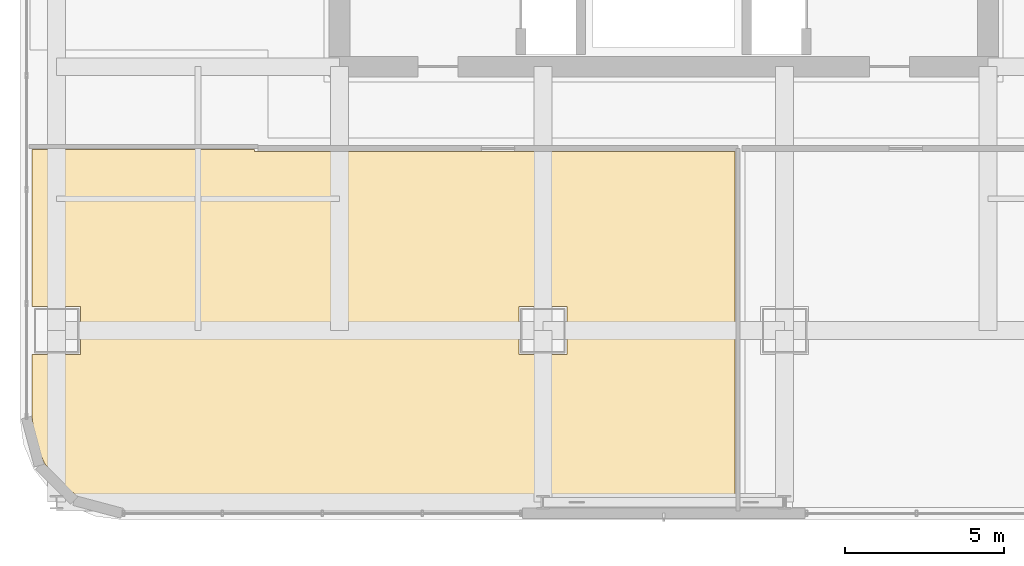
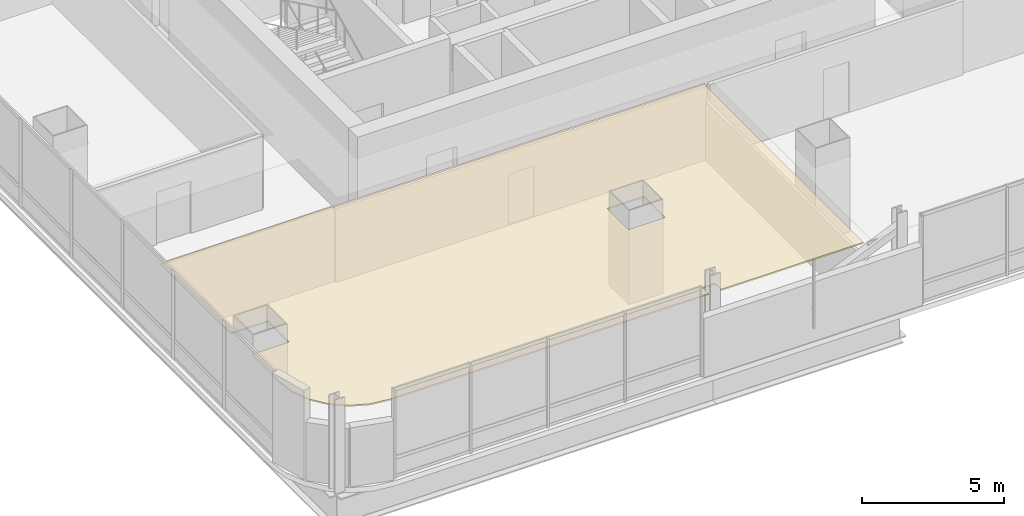
# One storey, part 34 of 41: 1 covering.
"""IFC4 building model written with IfcOpenShell, lengths in metres."""

import ifcopenshell
import ifcopenshell.guid

model = None  # the IFC model being written
_history = None  # IfcOwnerHistory: only IFC2X3 demands one
_inside = {}  # id of a spatial element -> (the spatial element, [elements in it])
_under = {}  # id of a project, library or spatial element -> (it, [spatial elements below it])
_declared = {}  # id of a project -> (the project, [libraries it declares])
_typed = {}  # id of a type object -> (the type object, [elements of that type])
_made_of = {}  # id of a material, layer set ... -> (it, [elements and type objects made of it])


def new_model(schema):
    """Start an empty IFC model of exactly this schema.

    Asked for "IFC4X3", IfcOpenShell would pick the latest addendum, in which some entities
    have other attributes; the version numbers below select the first issue.
    IFC2X3 requires an IfcOwnerHistory on every rooted entity: one is made here for all.
    """
    global model, _history
    if schema == "IFC4X3":
        model = ifcopenshell.file(schema_version=(4, 3, 0, 0))
    else:
        model = ifcopenshell.file(schema=schema)
    _inside.clear()
    _under.clear()
    _declared.clear()
    _typed.clear()
    _made_of.clear()
    _history = None
    if model.schema == "IFC2X3":
        org = make("IfcOrganization", Name="unknown")
        user = make(
            "IfcPersonAndOrganization",
            ThePerson=make("IfcPerson", FamilyName="unknown"),
            TheOrganization=org,
        )
        app = make(
            "IfcApplication",
            ApplicationDeveloper=org,
            Version="unknown",
            ApplicationFullName="unknown",
            ApplicationIdentifier="unknown",
        )
        _history = make(
            "IfcOwnerHistory",
            OwningUser=user,
            OwningApplication=app,
            ChangeAction="ADDED",
            CreationDate=0,
        )
    return model


def make(cls, **values):
    """One entity of the class cls with the attributes given. An attribute that is None is left unset."""
    return model.create_entity(
        cls, **{name: value for name, value in values.items() if value is not None}
    )


def rooted(cls, **values):
    """An entity with a GlobalId (a new one), such as an element, a storey or a relation."""
    return make(cls, GlobalId=ifcopenshell.guid.new(), OwnerHistory=_history, **values)


def si_unit(unit_type, name, prefix=None):
    """IfcSIUnit, for example si_unit("LENGTHUNIT", "METRE", prefix="MILLI")."""
    return make("IfcSIUnit", UnitType=unit_type, Prefix=prefix, Name=name)


def assignment(units):
    """IfcUnitAssignment: the units of a project."""
    return None if units is None else make("IfcUnitAssignment", Units=units)


def point(xyz):
    """IfcCartesianPoint."""
    return None if xyz is None else make("IfcCartesianPoint", Coordinates=xyz)


def direction(xyz):
    """IfcDirection."""
    return None if xyz is None else make("IfcDirection", DirectionRatios=xyz)


def frame(location, z_axis=None, x_axis=None):
    """IfcAxis2Placement3D, a coordinate frame: its origin and axes. An axis left out is left unset."""
    return make(
        "IfcAxis2Placement3D",
        Location=point(location),
        Axis=direction(z_axis),
        RefDirection=direction(x_axis),
    )


def origin():
    """The frame at (0, 0, 0) with its axes left unset."""
    return frame((0.0, 0.0, 0.0))


def place(relative_to, where):
    """IfcLocalPlacement: puts the frame where relative to a parent placement (None: the world)."""
    return make(
        "IfcLocalPlacement", PlacementRelTo=relative_to, RelativePlacement=where
    )


def context(
    kind, dimensions, precision=None, world=None, true_north=None, identifier=None
):
    """IfcGeometricRepresentationContext, for example the 3D "Model" context."""
    return make(
        "IfcGeometricRepresentationContext",
        ContextIdentifier=identifier,
        ContextType=kind,
        CoordinateSpaceDimension=dimensions,
        Precision=precision,
        WorldCoordinateSystem=world,
        TrueNorth=true_north,
    )


def subcontext(parent, identifier, kind, view, scale=None):
    """IfcGeometricRepresentationSubContext, for example "Body" below "Model"."""
    return make(
        "IfcGeometricRepresentationSubContext",
        ContextIdentifier=identifier,
        ContextType=kind,
        ParentContext=parent,
        TargetScale=scale,
        TargetView=view,
    )


def project(units=None, contexts=None):
    """IfcProject with its units and contexts."""
    return rooted(
        "IfcProject",
        Name="project",
        RepresentationContexts=contexts,
        UnitsInContext=assignment(units),
    )


def spatial(cls, under=None, at=None, **own):
    """A site, building, storey or space (cls), placed at a placement, below another one or the project."""
    s = rooted(cls, ObjectPlacement=at, **own)
    if under is not None:
        _under.setdefault(under.id(), (under, []))[1].append(s)
    return s


def polyline(points):
    """IfcPolyline through the points."""
    return make("IfcPolyline", Points=[point(p) for p in points])


def outline(outer, holes=None, kind="AREA"):
    """IfcArbitraryClosedProfileDef: a profile drawn as a closed curve; with holes, ...WithVoids."""
    if holes is None:
        return make("IfcArbitraryClosedProfileDef", ProfileType=kind, OuterCurve=outer)
    return make(
        "IfcArbitraryProfileDefWithVoids",
        ProfileType=kind,
        OuterCurve=outer,
        InnerCurves=holes,
    )


def extrude(swept, where, along, depth):
    """IfcExtrudedAreaSolid: the profile swept, set in the frame where, extruded along a direction by depth."""
    return make(
        "IfcExtrudedAreaSolid",
        SweptArea=swept,
        Position=where,
        ExtrudedDirection=direction(along),
        Depth=depth,
    )


def shape(context_of_items, identifier, shape_type, items):
    """IfcShapeRepresentation: the items that make up one representation, for example the "Body"."""
    return make(
        "IfcShapeRepresentation",
        ContextOfItems=context_of_items,
        RepresentationIdentifier=identifier,
        RepresentationType=shape_type,
        Items=items,
    )


def material(Name=None, Category=None):
    """IfcMaterial."""
    return make("IfcMaterial", Name=Name, Category=Category)


def layer(
    of_material, thickness, ventilated=None, Name=None, Category=None, Priority=None
):
    """IfcMaterialLayer: one layer of a wall or slab, of a material (None: an air gap)."""
    return make(
        "IfcMaterialLayer",
        Material=of_material,
        LayerThickness=thickness,
        IsVentilated=ventilated,
        Name=Name,
        Category=Category,
        Priority=Priority,
    )


def layer_set(layers, Name=None):
    """IfcMaterialLayerSet."""
    return make("IfcMaterialLayerSet", MaterialLayers=layers, LayerSetName=Name)


def made_of(thing, what):
    """Note that an element or type object is made of a material, layer set ...; save() writes the relation."""
    if what is not None:
        _made_of.setdefault(what.id(), (what, []))[1].append(thing)
    return thing


def type_object(cls, material=None, **own):
    """A type object (cls), such as IfcWallType, which elements share."""
    return made_of(rooted(cls, **own), material)


def element(
    cls,
    number,
    at=None,
    inside=None,
    cuts=None,
    type_object=None,
    material=None,
    context=None,
    identifier="Body",
    shape_type=None,
    held_by="IfcProductDefinitionShape",
    body=None,
    shapes=None,
    **own,
):
    """One element of the class cls, such as IfcWall. Its Tag is "e" and its number.

    at: its placement. inside: the storey or other place that contains it. cuts: it is an
    opening in that element (IfcRelVoidsElement). A single representation is given by context,
    identifier, shape_type and body (its items); several are given by shapes. held_by: the class
    of the entity that holds the representations. save() writes the other relations.
    """
    e = rooted(cls, Tag="e%d" % number, ObjectPlacement=at, **own)
    if body is not None:
        shapes = [shape(context, identifier, shape_type, body)]
    if shapes is not None:
        e.Representation = make(held_by, Representations=shapes)
    if inside is not None:
        _inside.setdefault(inside.id(), (inside, []))[1].append(e)
    if cuts is not None:
        rooted(
            "IfcRelVoidsElement", RelatingBuildingElement=cuts, RelatedOpeningElement=e
        )
    if type_object is not None:
        _typed.setdefault(type_object.id(), (type_object, []))[1].append(e)
    return made_of(e, material)


def aggregate(whole, parts):
    """IfcRelAggregates: a whole, such as a stair, and the parts it consists of."""
    return rooted("IfcRelAggregates", RelatingObject=whole, RelatedObjects=parts)


def save(model, path):
    """Write the relations noted so far, then the file.

    IfcRelAggregates (storeys below a building ...), IfcRelContainedInSpatialStructure (elements
    in a storey), IfcRelDefinesByType, IfcRelAssociatesMaterial and IfcRelDeclares: one each for
    every whole, place, type object, material and project.
    """
    for whole, parts in _under.values():
        aggregate(whole, parts)
    for where, things in _inside.values():
        rooted(
            "IfcRelContainedInSpatialStructure",
            RelatedElements=things,
            RelatingStructure=where,
        )
    for kind, things in _typed.values():
        rooted("IfcRelDefinesByType", RelatedObjects=things, RelatingType=kind)
    for what, things in _made_of.values():
        rooted("IfcRelAssociatesMaterial", RelatedObjects=things, RelatingMaterial=what)
    for by, libraries in _declared.values():
        rooted("IfcRelDeclares", RelatingContext=by, RelatedDefinitions=libraries)
    model.write(path)


model = new_model("IFC4")

# Units and contexts
model_context = context("Model", 3, precision=1e-05, world=origin(), true_north=direction((0.0, 1.0)))
body_context = subcontext(model_context, "Body", "Model", "MODEL_VIEW")
ifc_project = project(units=[si_unit("LENGTHUNIT", "METRE"), si_unit("AREAUNIT", "SQUARE_METRE"), si_unit("VOLUMEUNIT", "CUBIC_METRE"), si_unit("PLANEANGLEUNIT", "RADIAN"), si_unit("MASSUNIT", "GRAM", prefix="KILO")], contexts=[model_context])

# Site, building, storey
site_placement = place(None, origin())
site = spatial("IfcSite", under=ifc_project, at=site_placement, CompositionType="ELEMENT")
building_placement = place(site_placement, origin())
building = spatial("IfcBuilding", under=site, at=building_placement, Name="Punatoya Terracotta Tower", CompositionType="ELEMENT")
storey_placement = place(building_placement, frame((0.0, 0.0, 220.800048828125)))
storey = spatial("IfcBuildingStorey", under=building, at=storey_placement, Name="L52", CompositionType="ELEMENT", Elevation=220.800048828125)

# Covering
ifc_material = material(Name="Acoustic Mineral Fibre Ceiling")
ifc_layer = layer(ifc_material, 0.06005859375)
ifc_layer_set = layer_set([ifc_layer], Name="Acoustic Mineral Fibre Ceiling")
covering_type = type_object("IfcCoveringType", Name="COV-CEIL-60", PredefinedType="CEILING", material=ifc_layer_set)
covering_placement = place(storey_placement, frame((0.0, 0.0, 3.219970703125)))
element("IfcCovering", 1, at=covering_placement, inside=storey, type_object=covering_type, Name="L52 Computational Simulation Laboratory Acoustic Ceiling", PredefinedType="CEILING", context=body_context, shape_type="SweptSolid", body=[
    extrude(outline(polyline([(-19.8701171875, -18.25), (-19.8701171875, -20.22509765625), (-19.770751953125, -20.97900390625), (-19.489501953125, -21.658203125), (-19.041748046875, -22.24169921875), (-18.458251953125, -22.689453125), (-17.779052734375, -22.970703125), (-17.025146484375, -23.070068359375), (-4.054443359375, -23.070068359375), (-4.054443359375, -22.637451171875), (-3.54541015625, -22.637451171875), (-3.54541015625, -23.070068359375), (2.239990234375, -23.070068359375), (2.239990234375, -11.8701171875), (-12.8701171875, -11.8701171875), (-12.8701171875, -11.81005859375), (-19.8701171875, -11.81005859375), (-19.8701171875, -16.75), (-18.35009765625, -16.75), (-18.35009765625, -18.25), (-19.8701171875, -18.25)]), holes=[polyline([(-3.050048828125, -18.25), (-4.550048828125, -18.25), (-4.550048828125, -16.75), (-3.050048828125, -16.75), (-3.050048828125, -18.25)])]), origin(), (0.0, 0.0, 1.0), 0.06005859375),
])

save(model, "model.ifc")
